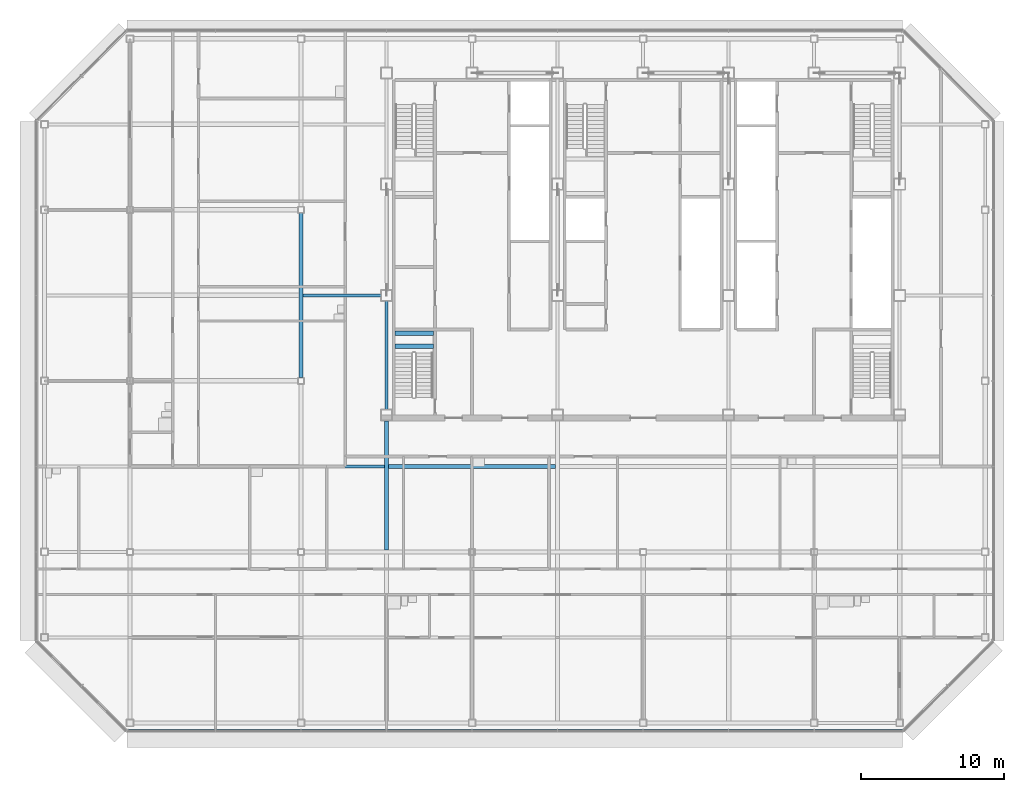
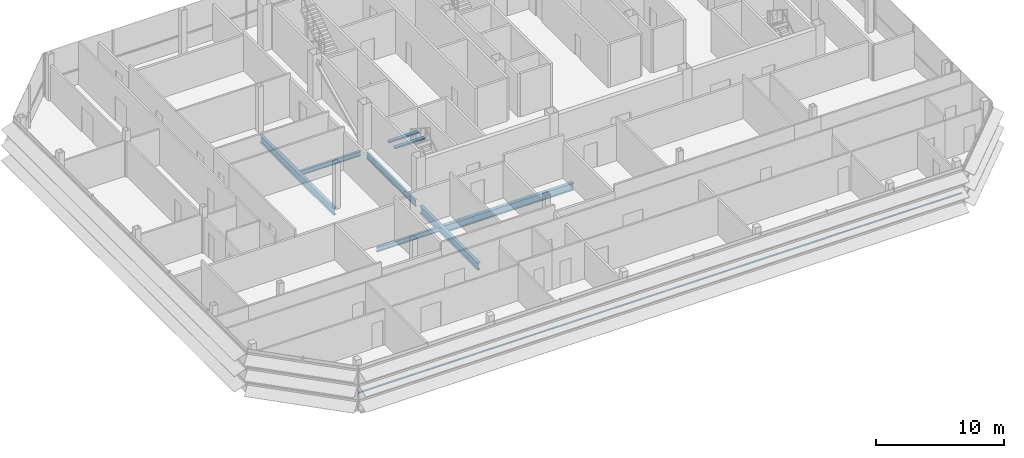
# One storey, part 9 of 29: 8 beams, 1 member, 1 element without a shape of its own.
"""IFC4 building model written with IfcOpenShell, lengths in metres."""

from ifc_helpers import new_model, si_unit, direction, frame, origin, origin_2d, place, context, subcontext, project, spatial, rectangle, i_section, extrude, material, material_profile, profile_set, type_object, element, aggregate, save


model = new_model("IFC4")

# Units and contexts
model_context = context("Model", 3, precision=1e-05, world=origin(), true_north=direction((0.0, 1.0)))
body_context = subcontext(model_context, "Body", "Model", "MODEL_VIEW")
ifc_project = project(units=[si_unit("LENGTHUNIT", "METRE"), si_unit("AREAUNIT", "SQUARE_METRE"), si_unit("VOLUMEUNIT", "CUBIC_METRE"), si_unit("PLANEANGLEUNIT", "RADIAN"), si_unit("MASSUNIT", "GRAM", prefix="KILO")], contexts=[model_context])

# Site, building, storey
site_placement = place(None, origin())
site = spatial("IfcSite", under=ifc_project, at=site_placement, CompositionType="ELEMENT")
building_placement = place(site_placement, origin())
building = spatial("IfcBuilding", under=site, at=building_placement, Name="Sorahane Residences", CompositionType="ELEMENT")
storey_placement = place(building_placement, frame((0.0, 0.0, 326.800048828125)))
storey = spatial("IfcBuildingStorey", under=building, at=storey_placement, Name="L78", CompositionType="ELEMENT", Elevation=326.800048828125)

# Curtain wall, member
ifc_material_1 = material(Name="Dark low-e glass and black anodised aluminium", Category="aluminium")
curtain_wall_type = type_object("IfcCurtainWallType", Name="Curtain wall CW-1 Typical unitised wall", PredefinedType="NOTDEFINED", material=ifc_material_1)
curtain_wall_placement = place(storey_placement, origin())
curtain_wall = element("IfcCurtainWall", 1, at=curtain_wall_placement, inside=storey, type_object=curtain_wall_type, Name="CW-1 curtain wall L78 S1", PredefinedType="NOTDEFINED")
ifc_material_2 = material(Name="Black anodised aluminium", Category="aluminium")
ifc_material_profile_1 = material_profile(ifc_material_2, rectangle(XDim=0.10009765625, YDim=0.06005859375, at=origin_2d()), Name="Curtain wall transom CW-1 black anodised aluminium 60x100")
ifc_profile_set_1 = profile_set([ifc_material_profile_1], Name="Black anodised aluminium")
member_type = type_object("IfcMemberType", Name="Curtain wall transom CW-1 black anodised aluminium 60x100", PredefinedType="USERDEFINED", material=ifc_profile_set_1)
member_placement = place(storey_placement, frame((-12.198486328125, -0.530029296875, 1.5), z_axis=(1.0, 0.0, 0.0), x_axis=(0.0, 1.0, 0.0)))
member = element("IfcMember", 2, at=member_placement, type_object=member_type, Name="CW-1 transom L78 S1", ObjectType="TRANSOM", PredefinedType="USERDEFINED", context=body_context, shape_type="SweptSolid", body=[
    extrude(rectangle(XDim=0.10009765625, YDim=0.06005859375, at=origin_2d()), origin(), (0.0, 0.0, 1.0), 54.39697265625),
])
aggregate(curtain_wall, [member])

# Beams
ifc_material_3 = material(Name="Concrete C40", Category="concrete")
ifc_material_profile_2 = material_profile(ifc_material_3, rectangle(XDim=0.300048828125, YDim=0.139892578125, at=origin_2d()), Name="300x140")
ifc_profile_set_2 = profile_set([ifc_material_profile_2], Name="Concrete C40")
beam_type_1 = type_object("IfcBeamType", Name="RC landing beam 300 x 140 Concrete C40", PredefinedType="BEAM", material=ifc_profile_set_2)
for number, where, z_axis, x_axis, name in (
    (3, (6.60009765625, 26.419921875, 1.929931640625), (1.0, 0.0, 0.0), (0.0, 1.0, 0.0), "Landing beam"),
    (4, (6.60009765625, 27.35009765625, 1.929931640625), (1.0, 0.0, 0.0), (0.0, 1.0, 0.0), "Landing beam"),
):
    element("IfcBeam", number, at=place(storey_placement, frame(where, z_axis=z_axis, x_axis=x_axis)), inside=storey, type_object=beam_type_1, Name=name, PredefinedType="BEAM", context=body_context, shape_type="SweptSolid", body=[
        extrude(rectangle(XDim=0.300048828125, YDim=0.139892578125, at=origin_2d()), origin(), (0.0, 0.0, 1.0), 2.699951171875),
    ])
ifc_material_4 = material(Name="Steel Q355B", Category="steel")
ifc_material_profile_3 = material_profile(ifc_material_4, i_section(OverallWidth=0.199951171875, OverallDepth=0.449951171875, WebThickness=0.009033203125, FlangeThickness=0.013916015625, FilletRadius=0.02001953125, at=origin_2d()), Name="HN 450x200x9x14")
ifc_profile_set_3 = profile_set([ifc_material_profile_3], Name="Steel Q355B")
beam_type_2 = type_object("IfcBeamType", Name="Steel floor beam HN 450x200x9x14 Q355B", PredefinedType="BEAM", material=ifc_profile_set_3)
beam_1_placement = place(storey_placement, frame((0.14990234375, 18.0, -0.405029296875), z_axis=(1.0, 0.0, 0.0), x_axis=(0.0, 1.0, 0.0)))
element("IfcBeam", 5, at=beam_1_placement, inside=storey, type_object=beam_type_2, Name="Beam L78 078", PredefinedType="BEAM", context=body_context, shape_type="SweptSolid", body=[
    extrude(i_section(OverallWidth=0.199951171875, OverallDepth=0.449951171875, WebThickness=0.009033203125, FlangeThickness=0.013916015625, FilletRadius=0.02001953125, at=origin_2d()), origin(), (0.0, 0.0, 1.0), 5.7001953125),
])
beam_2_placement = place(storey_placement, frame((0.14990234375, 30.0, -0.405029296875), z_axis=(1.0, 0.0, 0.0), x_axis=(0.0, 1.0, 0.0)))
element("IfcBeam", 6, at=beam_2_placement, inside=storey, type_object=beam_type_2, Name="Beam L78 085", PredefinedType="BEAM", context=body_context, shape_type="SweptSolid", body=[
    extrude(i_section(OverallWidth=0.199951171875, OverallDepth=0.449951171875, WebThickness=0.009033203125, FlangeThickness=0.013916015625, FilletRadius=0.02001953125, at=origin_2d()), origin(), (0.0, 0.0, 1.0), 5.4501953125),
])
ifc_material_5 = material(Name="Steel Q355B", Category="steel")
ifc_material_profile_4 = material_profile(ifc_material_5, i_section(OverallWidth=0.199951171875, OverallDepth=0.60009765625, WebThickness=0.010986328125, FlangeThickness=0.01708984375, FilletRadius=0.02392578125, at=origin_2d()), Name="HN 600x200x11x17")
ifc_profile_set_4 = profile_set([ifc_material_profile_4], Name="Steel Q355B")
beam_type_3 = type_object("IfcBeamType", Name="Steel floor beam HN 600x200x11x17 Q355B", PredefinedType="BEAM", material=ifc_profile_set_4)
beam_3_placement = place(storey_placement, frame((6.0, 22.0, -0.47998046875), z_axis=(0.0, 1.0, 0.0), x_axis=(-1.0, 0.0, 0.0)))
element("IfcBeam", 7, at=beam_3_placement, inside=storey, type_object=beam_type_3, Name="Beam L78 034", PredefinedType="BEAM", context=body_context, shape_type="SweptSolid", body=[
    extrude(i_section(OverallWidth=0.199951171875, OverallDepth=0.60009765625, WebThickness=0.010986328125, FlangeThickness=0.01708984375, FilletRadius=0.02392578125, at=origin_2d()), origin(), (0.0, 0.0, 1.0), 7.60009765625),
])
ifc_material_6 = material(Name="Steel Q355B", Category="steel")
ifc_material_profile_5 = material_profile(ifc_material_6, i_section(OverallWidth=0.300048828125, OverallDepth=0.699951171875, WebThickness=0.012939453125, FlangeThickness=0.02392578125, FilletRadius=0.028076171875, at=origin_2d()), Name="HN 700x300x13x24")
ifc_profile_set_5 = profile_set([ifc_material_profile_5], Name="Steel Q355B")
beam_type_4 = type_object("IfcBeamType", Name="Steel floor beam HN 700x300x13x24 Q355B", PredefinedType="BEAM", material=ifc_profile_set_5)
beam_4_placement = place(storey_placement, frame((0.0, 24.22509765625, -0.530029296875), z_axis=(0.0, 1.0, 0.0), x_axis=(-1.0, 0.0, 0.0)))
element("IfcBeam", 8, at=beam_4_placement, inside=storey, type_object=beam_type_4, Name="Beam L78 030", PredefinedType="BEAM", context=body_context, shape_type="SweptSolid", body=[
    extrude(i_section(OverallWidth=0.300048828125, OverallDepth=0.699951171875, WebThickness=0.012939453125, FlangeThickness=0.02392578125, FilletRadius=0.028076171875, at=origin_2d()), origin(), (0.0, 0.0, 1.0), 11.5498046875),
])
beam_5_placement = place(storey_placement, frame((6.0, 12.14990234375, -0.530029296875), z_axis=(0.0, 1.0, 0.0), x_axis=(-1.0, 0.0, 0.0)))
element("IfcBeam", 9, at=beam_5_placement, inside=storey, type_object=beam_type_4, Name="Beam L78 033", PredefinedType="BEAM", context=body_context, shape_type="SweptSolid", body=[
    extrude(i_section(OverallWidth=0.300048828125, OverallDepth=0.699951171875, WebThickness=0.012939453125, FlangeThickness=0.02392578125, FilletRadius=0.028076171875, at=origin_2d()), origin(), (0.0, 0.0, 1.0), 9.050048828125),
])
beam_6_placement = place(storey_placement, frame((6.14990234375, 18.0, -0.530029296875), z_axis=(1.0, 0.0, 0.0), x_axis=(0.0, 1.0, 0.0)))
element("IfcBeam", 10, at=beam_6_placement, inside=storey, type_object=beam_type_4, Name="Beam L78 079", PredefinedType="BEAM", context=body_context, shape_type="SweptSolid", body=[
    extrude(i_section(OverallWidth=0.300048828125, OverallDepth=0.699951171875, WebThickness=0.012939453125, FlangeThickness=0.02392578125, FilletRadius=0.028076171875, at=origin_2d()), origin(), (0.0, 0.0, 1.0), 11.7001953125),
])

save(model, "model.ifc")
